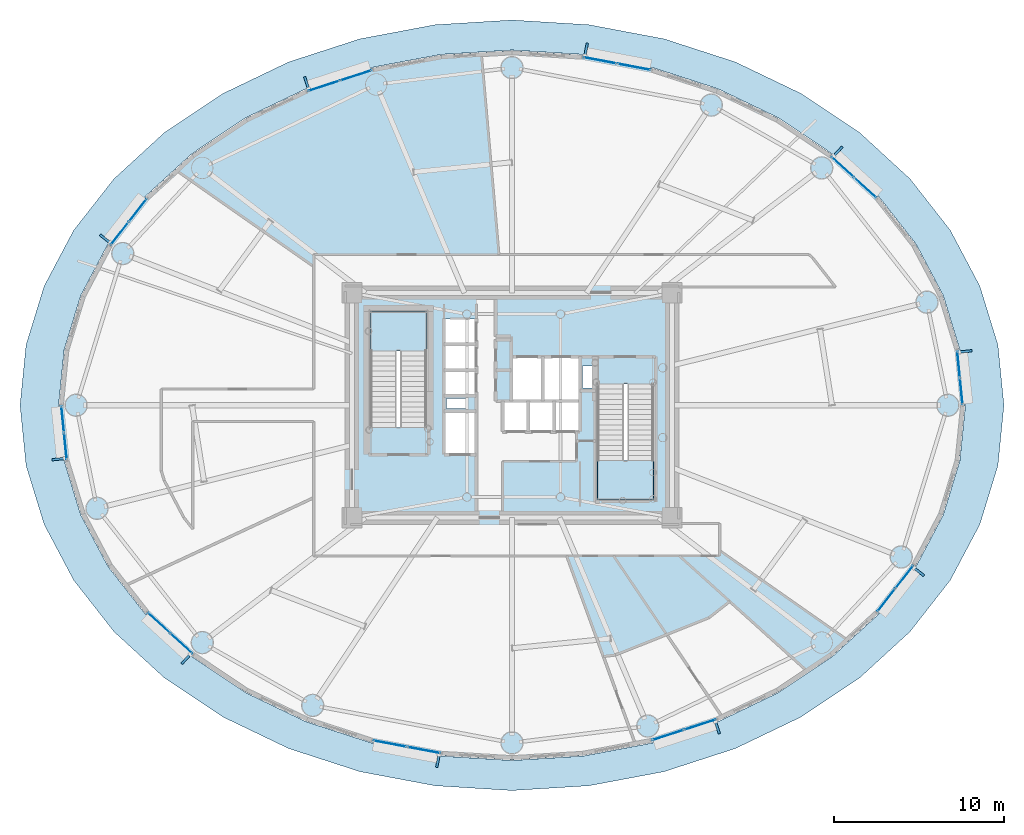
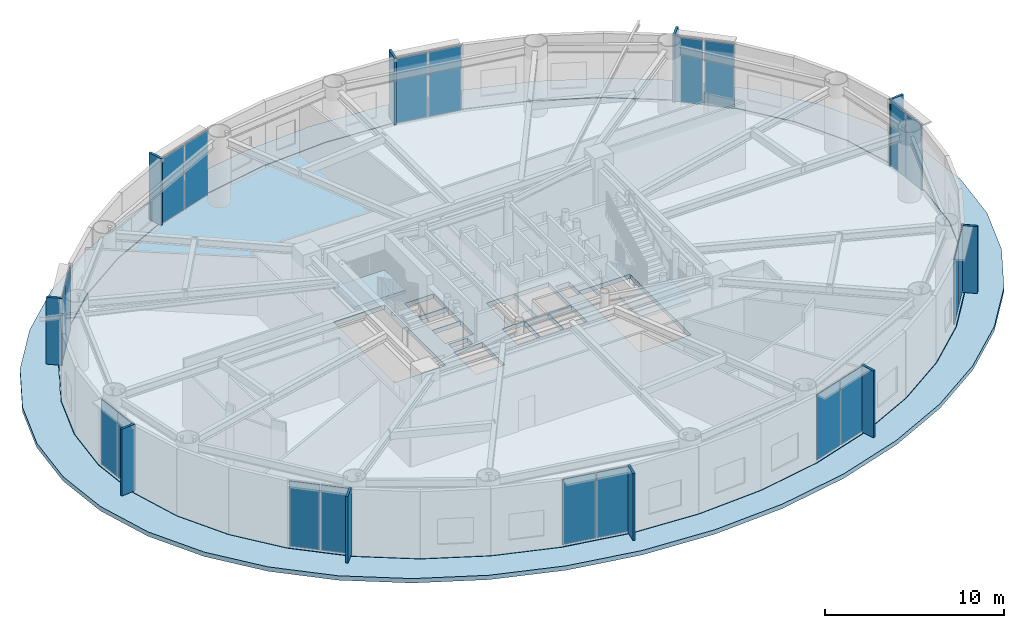
# One storey, part 24 of 38: 30 plates, 4 slabs, 12 elements without a shape of their own.
"""IFC4 building model written with IfcOpenShell, lengths in metres."""

import ifcopenshell
import ifcopenshell.guid

model = None  # the IFC model being written
_history = None  # IfcOwnerHistory: only IFC2X3 demands one
_inside = {}  # id of a spatial element -> (the spatial element, [elements in it])
_under = {}  # id of a project, library or spatial element -> (it, [spatial elements below it])
_declared = {}  # id of a project -> (the project, [libraries it declares])
_typed = {}  # id of a type object -> (the type object, [elements of that type])
_made_of = {}  # id of a material, layer set ... -> (it, [elements and type objects made of it])


def new_model(schema):
    """Start an empty IFC model of exactly this schema.

    Asked for "IFC4X3", IfcOpenShell would pick the latest addendum, in which some entities
    have other attributes; the version numbers below select the first issue.
    IFC2X3 requires an IfcOwnerHistory on every rooted entity: one is made here for all.
    """
    global model, _history
    if schema == "IFC4X3":
        model = ifcopenshell.file(schema_version=(4, 3, 0, 0))
    else:
        model = ifcopenshell.file(schema=schema)
    _inside.clear()
    _under.clear()
    _declared.clear()
    _typed.clear()
    _made_of.clear()
    _history = None
    if model.schema == "IFC2X3":
        org = make("IfcOrganization", Name="unknown")
        user = make(
            "IfcPersonAndOrganization",
            ThePerson=make("IfcPerson", FamilyName="unknown"),
            TheOrganization=org,
        )
        app = make(
            "IfcApplication",
            ApplicationDeveloper=org,
            Version="unknown",
            ApplicationFullName="unknown",
            ApplicationIdentifier="unknown",
        )
        _history = make(
            "IfcOwnerHistory",
            OwningUser=user,
            OwningApplication=app,
            ChangeAction="ADDED",
            CreationDate=0,
        )
    return model


def make(cls, **values):
    """One entity of the class cls with the attributes given. An attribute that is None is left unset."""
    return model.create_entity(
        cls, **{name: value for name, value in values.items() if value is not None}
    )


def rooted(cls, **values):
    """An entity with a GlobalId (a new one), such as an element, a storey or a relation."""
    return make(cls, GlobalId=ifcopenshell.guid.new(), OwnerHistory=_history, **values)


def si_unit(unit_type, name, prefix=None):
    """IfcSIUnit, for example si_unit("LENGTHUNIT", "METRE", prefix="MILLI")."""
    return make("IfcSIUnit", UnitType=unit_type, Prefix=prefix, Name=name)


def assignment(units):
    """IfcUnitAssignment: the units of a project."""
    return None if units is None else make("IfcUnitAssignment", Units=units)


def point(xyz):
    """IfcCartesianPoint."""
    return None if xyz is None else make("IfcCartesianPoint", Coordinates=xyz)


def direction(xyz):
    """IfcDirection."""
    return None if xyz is None else make("IfcDirection", DirectionRatios=xyz)


def frame(location, z_axis=None, x_axis=None):
    """IfcAxis2Placement3D, a coordinate frame: its origin and axes. An axis left out is left unset."""
    return make(
        "IfcAxis2Placement3D",
        Location=point(location),
        Axis=direction(z_axis),
        RefDirection=direction(x_axis),
    )


def frame_2d(location, x_axis=None):
    """IfcAxis2Placement2D, a coordinate frame in the plane: its origin and x axis."""
    return make(
        "IfcAxis2Placement2D", Location=point(location), RefDirection=direction(x_axis)
    )


def origin():
    """The frame at (0, 0, 0) with its axes left unset."""
    return frame((0.0, 0.0, 0.0))


def origin_2d():
    """The frame at (0, 0) in the plane with its x axis left unset."""
    return frame_2d((0.0, 0.0))


def place(relative_to, where):
    """IfcLocalPlacement: puts the frame where relative to a parent placement (None: the world)."""
    return make(
        "IfcLocalPlacement", PlacementRelTo=relative_to, RelativePlacement=where
    )


def context(
    kind, dimensions, precision=None, world=None, true_north=None, identifier=None
):
    """IfcGeometricRepresentationContext, for example the 3D "Model" context."""
    return make(
        "IfcGeometricRepresentationContext",
        ContextIdentifier=identifier,
        ContextType=kind,
        CoordinateSpaceDimension=dimensions,
        Precision=precision,
        WorldCoordinateSystem=world,
        TrueNorth=true_north,
    )


def subcontext(parent, identifier, kind, view, scale=None):
    """IfcGeometricRepresentationSubContext, for example "Body" below "Model"."""
    return make(
        "IfcGeometricRepresentationSubContext",
        ContextIdentifier=identifier,
        ContextType=kind,
        ParentContext=parent,
        TargetScale=scale,
        TargetView=view,
    )


def project(units=None, contexts=None):
    """IfcProject with its units and contexts."""
    return rooted(
        "IfcProject",
        Name="project",
        RepresentationContexts=contexts,
        UnitsInContext=assignment(units),
    )


def spatial(cls, under=None, at=None, **own):
    """A site, building, storey or space (cls), placed at a placement, below another one or the project."""
    s = rooted(cls, ObjectPlacement=at, **own)
    if under is not None:
        _under.setdefault(under.id(), (under, []))[1].append(s)
    return s


def polyline(points):
    """IfcPolyline through the points."""
    return make("IfcPolyline", Points=[point(p) for p in points])


def profile(cls, at=None, kind="AREA", **sizes):
    """A parametric profile (cls). Its sizes go by their IFC names, for example OverallWidth=200.0."""
    return make(cls, ProfileType=kind, Position=at, **sizes)


def rectangle(**sizes):
    """IfcRectangleProfileDef."""
    return profile("IfcRectangleProfileDef", **sizes)


def outline(outer, holes=None, kind="AREA"):
    """IfcArbitraryClosedProfileDef: a profile drawn as a closed curve; with holes, ...WithVoids."""
    if holes is None:
        return make("IfcArbitraryClosedProfileDef", ProfileType=kind, OuterCurve=outer)
    return make(
        "IfcArbitraryProfileDefWithVoids",
        ProfileType=kind,
        OuterCurve=outer,
        InnerCurves=holes,
    )


def extrude(swept, where, along, depth):
    """IfcExtrudedAreaSolid: the profile swept, set in the frame where, extruded along a direction by depth."""
    return make(
        "IfcExtrudedAreaSolid",
        SweptArea=swept,
        Position=where,
        ExtrudedDirection=direction(along),
        Depth=depth,
    )


def shape(context_of_items, identifier, shape_type, items):
    """IfcShapeRepresentation: the items that make up one representation, for example the "Body"."""
    return make(
        "IfcShapeRepresentation",
        ContextOfItems=context_of_items,
        RepresentationIdentifier=identifier,
        RepresentationType=shape_type,
        Items=items,
    )


def source(mapping_origin, context_of_items, identifier, shape_type, items):
    """IfcRepresentationMap: a shape defined once, which mapped items show again and again."""
    return make(
        "IfcRepresentationMap",
        MappingOrigin=mapping_origin,
        MappedRepresentation=shape(context_of_items, identifier, shape_type, items),
    )


def transform(
    local_origin,
    x_axis=None,
    y_axis=None,
    z_axis=None,
    scale=None,
    scale2=None,
    scale3=None,
    uniform=True,
):
    """IfcCartesianTransformationOperator3D, or its non-uniform kind. x_axis, y_axis, z_axis: its Axis1, 2, 3."""
    if uniform:
        return make(
            "IfcCartesianTransformationOperator3D",
            Axis1=direction(x_axis),
            Axis2=direction(y_axis),
            LocalOrigin=point(local_origin),
            Scale=scale,
            Axis3=direction(z_axis),
        )
    return make(
        "IfcCartesianTransformationOperator3DnonUniform",
        Axis1=direction(x_axis),
        Axis2=direction(y_axis),
        LocalOrigin=point(local_origin),
        Scale=scale,
        Axis3=direction(z_axis),
        Scale2=scale2,
        Scale3=scale3,
    )


def mapped(mapping_source, mapping_target):
    """IfcMappedItem: shows the shape of a source again, moved by a transform."""
    return make(
        "IfcMappedItem", MappingSource=mapping_source, MappingTarget=mapping_target
    )


def material(Name=None, Category=None):
    """IfcMaterial."""
    return make("IfcMaterial", Name=Name, Category=Category)


def layer(
    of_material, thickness, ventilated=None, Name=None, Category=None, Priority=None
):
    """IfcMaterialLayer: one layer of a wall or slab, of a material (None: an air gap)."""
    return make(
        "IfcMaterialLayer",
        Material=of_material,
        LayerThickness=thickness,
        IsVentilated=ventilated,
        Name=Name,
        Category=Category,
        Priority=Priority,
    )


def layer_set(layers, Name=None):
    """IfcMaterialLayerSet."""
    return make("IfcMaterialLayerSet", MaterialLayers=layers, LayerSetName=Name)


def made_of(thing, what):
    """Note that an element or type object is made of a material, layer set ...; save() writes the relation."""
    if what is not None:
        _made_of.setdefault(what.id(), (what, []))[1].append(thing)
    return thing


def type_object(cls, material=None, **own):
    """A type object (cls), such as IfcWallType, which elements share."""
    return made_of(rooted(cls, **own), material)


def element(
    cls,
    number,
    at=None,
    inside=None,
    cuts=None,
    type_object=None,
    material=None,
    context=None,
    identifier="Body",
    shape_type=None,
    held_by="IfcProductDefinitionShape",
    body=None,
    shapes=None,
    **own,
):
    """One element of the class cls, such as IfcWall. Its Tag is "e" and its number.

    at: its placement. inside: the storey or other place that contains it. cuts: it is an
    opening in that element (IfcRelVoidsElement). A single representation is given by context,
    identifier, shape_type and body (its items); several are given by shapes. held_by: the class
    of the entity that holds the representations. save() writes the other relations.
    """
    e = rooted(cls, Tag="e%d" % number, ObjectPlacement=at, **own)
    if body is not None:
        shapes = [shape(context, identifier, shape_type, body)]
    if shapes is not None:
        e.Representation = make(held_by, Representations=shapes)
    if inside is not None:
        _inside.setdefault(inside.id(), (inside, []))[1].append(e)
    if cuts is not None:
        rooted(
            "IfcRelVoidsElement", RelatingBuildingElement=cuts, RelatedOpeningElement=e
        )
    if type_object is not None:
        _typed.setdefault(type_object.id(), (type_object, []))[1].append(e)
    return made_of(e, material)


def aggregate(whole, parts):
    """IfcRelAggregates: a whole, such as a stair, and the parts it consists of."""
    return rooted("IfcRelAggregates", RelatingObject=whole, RelatedObjects=parts)


def save(model, path):
    """Write the relations noted so far, then the file.

    IfcRelAggregates (storeys below a building ...), IfcRelContainedInSpatialStructure (elements
    in a storey), IfcRelDefinesByType, IfcRelAssociatesMaterial and IfcRelDeclares: one each for
    every whole, place, type object, material and project.
    """
    for whole, parts in _under.values():
        aggregate(whole, parts)
    for where, things in _inside.values():
        rooted(
            "IfcRelContainedInSpatialStructure",
            RelatedElements=things,
            RelatingStructure=where,
        )
    for kind, things in _typed.values():
        rooted("IfcRelDefinesByType", RelatedObjects=things, RelatingType=kind)
    for what, things in _made_of.values():
        rooted("IfcRelAssociatesMaterial", RelatedObjects=things, RelatingMaterial=what)
    for by, libraries in _declared.values():
        rooted("IfcRelDeclares", RelatingContext=by, RelatedDefinitions=libraries)
    model.write(path)


model = new_model("IFC4")

# Units and contexts
model_context = context("Model", 3, precision=1e-05, world=origin(), true_north=direction((0.0, 1.0)))
body_context = subcontext(model_context, "Body", "Model", "MODEL_VIEW")
ifc_project = project(units=[si_unit("LENGTHUNIT", "METRE"), si_unit("AREAUNIT", "SQUARE_METRE"), si_unit("VOLUMEUNIT", "CUBIC_METRE"), si_unit("PLANEANGLEUNIT", "RADIAN"), si_unit("MASSUNIT", "GRAM", prefix="KILO")], contexts=[model_context])

# Site, building, storey
site_placement = place(None, origin())
site = spatial("IfcSite", under=ifc_project, at=site_placement, CompositionType="ELEMENT")
building_placement = place(site_placement, origin())
building = spatial("IfcBuilding", under=site, at=building_placement, Name="Linh Dai School and Residence Tower", CompositionType="ELEMENT")
storey_placement = place(building_placement, frame((0.0, 0.0, 151.35009765625)))
storey = spatial("IfcBuildingStorey", under=building, at=storey_placement, Name="L36", CompositionType="ELEMENT", Elevation=151.35009765625)

# Slabs
ifc_material_1 = material(Name="Concrete B45 (C35/45)", Category="concrete")
ifc_layer_1 = layer(ifc_material_1, 0.300048828125)
ifc_layer_set_1 = layer_set([ifc_layer_1], Name="Concrete B45 (C35/45)")
slab_type_1 = type_object("IfcSlabType", Name="SLB-FLR300", PredefinedType="FLOOR", material=ifc_layer_set_1)
slab_1_placement = place(storey_placement, frame((0.0, 0.0, -0.300048828125)))
element("IfcSlab", 1, at=slab_1_placement, inside=storey, type_object=slab_type_1, Name="L36 Composite Structural Floor Slab", PredefinedType="FLOOR", context=body_context, shape_type="SweptSolid", body=[
    extrude(outline(polyline([(62.60009765625, 27.0), (62.2724609375, 30.258544921875), (61.298095703125, 33.436767578125), (59.70068359375, 36.45654296875), (57.519775390625, 39.24365234375), (54.80908203125, 41.72900390625), (51.635009765625, 43.851806640625), (48.076171875, 45.5595703125), (44.219970703125, 46.810546875), (40.1611328125, 47.573486328125), (36.0, 47.830078125), (31.8388671875, 47.573486328125), (27.780029296875, 46.810546875), (23.923828125, 45.5595703125), (20.364990234375, 43.851806640625), (17.19091796875, 41.72900390625), (14.480224609375, 39.24365234375), (12.29931640625, 36.45654296875), (10.701904296875, 33.436767578125), (9.7275390625, 30.258544921875), (9.39990234375, 27.0), (9.7275390625, 23.741455078125), (10.701904296875, 20.563232421875), (12.29931640625, 17.54345703125), (14.480224609375, 14.75634765625), (17.19091796875, 12.27099609375), (20.364990234375, 10.148193359375), (23.923828125, 8.4404296875), (27.780029296875, 7.189453125), (31.8388671875, 6.426513671875), (36.0, 6.169921875), (40.1611328125, 6.426513671875), (44.219970703125, 7.189453125), (48.076171875, 8.4404296875), (51.635009765625, 10.148193359375), (54.80908203125, 12.27099609375), (57.519775390625, 14.75634765625), (59.70068359375, 17.54345703125), (61.298095703125, 20.563232421875), (62.2724609375, 23.741455078125), (62.60009765625, 27.0)]), holes=[polyline([(30.97998046875, 25.699951171875), (30.97998046875, 32.5), (27.679931640625, 32.5), (27.679931640625, 25.699951171875), (30.97998046875, 25.699951171875)]), polyline([(41.02001953125, 28.25), (41.02001953125, 21.449951171875), (44.320068359375, 21.449951171875), (44.320068359375, 28.25), (41.02001953125, 28.25)]), polyline([(35.97998046875, 27.280029296875), (37.77001953125, 27.280029296875), (37.77001953125, 29.820068359375), (35.97998046875, 29.820068359375), (35.97998046875, 27.280029296875)]), polyline([(32.030029296875, 24.1298828125), (33.8701171875, 24.1298828125), (33.8701171875, 26.6201171875), (32.030029296875, 26.6201171875), (32.030029296875, 24.1298828125)]), polyline([(37.830078125, 27.280029296875), (39.969970703125, 27.280029296875), (39.969970703125, 29.820068359375), (37.830078125, 29.820068359375), (37.830078125, 27.280029296875)]), polyline([(32.030029296875, 27.580078125), (33.8701171875, 27.580078125), (33.8701171875, 29.030029296875), (32.030029296875, 29.030029296875), (32.030029296875, 27.580078125)]), polyline([(32.030029296875, 29.090087890625), (33.8701171875, 29.090087890625), (33.8701171875, 30.550048828125), (32.030029296875, 30.550048828125), (32.030029296875, 29.090087890625)]), polyline([(32.030029296875, 30.610107421875), (33.8701171875, 30.610107421875), (33.8701171875, 32.070068359375), (32.030029296875, 32.070068359375), (32.030029296875, 30.610107421875)]), polyline([(35.47998046875, 25.47998046875), (36.929931640625, 25.47998046875), (36.929931640625, 27.219970703125), (35.47998046875, 27.219970703125), (35.47998046875, 25.47998046875)]), polyline([(36.989990234375, 25.47998046875), (38.449951171875, 25.47998046875), (38.449951171875, 27.219970703125), (36.989990234375, 27.219970703125), (36.989990234375, 25.47998046875)]), polyline([(38.510009765625, 25.47998046875), (39.969970703125, 25.47998046875), (39.969970703125, 27.219970703125), (38.510009765625, 27.219970703125), (38.510009765625, 25.47998046875)]), polyline([(40.14990234375, 28.0), (40.14990234375, 29.300048828125), (41.0, 29.300048828125), (41.0, 28.280029296875), (40.989990234375, 28.280029296875), (40.989990234375, 28.0), (40.14990234375, 28.0)]), polyline([(32.14990234375, 26.800048828125), (33.35009765625, 26.800048828125), (33.35009765625, 27.39990234375), (32.14990234375, 27.39990234375), (32.14990234375, 26.800048828125)])]), origin(), (0.0, 0.0, 1.0), 0.300048828125),
])
ifc_layer_2 = layer(ifc_material_1, 0.300048828125)
ifc_layer_set_2 = layer_set([ifc_layer_2], Name="Concrete B45 (C35/45)")
slab_type_2 = type_object("IfcSlabType", Name="SLB-ROOF300", PredefinedType="ROOF", material=ifc_layer_set_2)
slab_2_placement = place(storey_placement, frame((0.0, 0.0, -0.300048828125)))
element("IfcSlab", 2, at=slab_2_placement, inside=storey, type_object=slab_type_2, Name="L36 Setback Step Insulated Roof Slab", PredefinedType="ROOF", context=body_context, shape_type="SweptSolid", body=[
    extrude(outline(polyline([(64.89990234375, 27.0), (64.544189453125, 30.5400390625), (63.485595703125, 33.9931640625), (61.75, 37.27392578125), (59.380615234375, 40.301513671875), (56.435302734375, 43.001708984375), (52.987060546875, 45.30810546875), (49.120361328125, 47.16357421875), (44.9306640625, 48.5224609375), (40.52099609375, 49.351318359375), (36.0, 49.6298828125), (31.47900390625, 49.351318359375), (27.0693359375, 48.5224609375), (22.879638671875, 47.16357421875), (19.012939453125, 45.30810546875), (15.564697265625, 43.001708984375), (12.619384765625, 40.301513671875), (10.25, 37.27392578125), (8.514404296875, 33.9931640625), (7.455810546875, 30.5400390625), (7.10009765625, 27.0), (7.455810546875, 23.4599609375), (8.514404296875, 20.0068359375), (10.25, 16.72607421875), (12.619384765625, 13.698486328125), (15.564697265625, 10.998291015625), (19.012939453125, 8.69189453125), (22.879638671875, 6.83642578125), (27.0693359375, 5.4775390625), (31.47900390625, 4.648681640625), (36.0, 4.3701171875), (40.52099609375, 4.648681640625), (44.9306640625, 5.4775390625), (49.120361328125, 6.83642578125), (52.987060546875, 8.69189453125), (56.435302734375, 10.998291015625), (59.380615234375, 13.698486328125), (61.75, 16.72607421875), (63.485595703125, 20.0068359375), (64.544189453125, 23.4599609375), (64.89990234375, 27.0)]), holes=[polyline([(62.6298828125, 27.0), (62.30224609375, 30.26318359375), (61.32666015625, 33.446044921875), (59.7275390625, 36.47021484375), (57.544189453125, 39.26123046875), (54.830322265625, 41.750244140625), (51.65283203125, 43.8759765625), (48.08984375, 45.58642578125), (44.22900390625, 46.839111328125), (40.165771484375, 47.603271484375), (36.0, 47.860107421875), (31.834228515625, 47.603271484375), (27.77099609375, 46.839111328125), (23.91015625, 45.58642578125), (20.34716796875, 43.8759765625), (17.169677734375, 41.750244140625), (14.455810546875, 39.26123046875), (12.2724609375, 36.47021484375), (10.67333984375, 33.446044921875), (9.69775390625, 30.26318359375), (9.3701171875, 27.0), (9.69775390625, 23.73681640625), (10.67333984375, 20.553955078125), (12.2724609375, 17.52978515625), (14.455810546875, 14.73876953125), (17.169677734375, 12.249755859375), (20.34716796875, 10.1240234375), (23.91015625, 8.41357421875), (27.77099609375, 7.160888671875), (31.834228515625, 6.396728515625), (36.0, 6.139892578125), (40.165771484375, 6.396728515625), (44.22900390625, 7.160888671875), (48.08984375, 8.41357421875), (51.65283203125, 10.1240234375), (54.830322265625, 12.249755859375), (57.544189453125, 14.73876953125), (59.7275390625, 17.52978515625), (61.32666015625, 20.553955078125), (62.30224609375, 23.73681640625), (62.6298828125, 27.0)])]), origin(), (0.0, 0.0, 1.0), 0.300048828125),
])

# Stair, slab
stair_type = type_object("IfcStairType", Name="ST-DOG-1550-R1500", PredefinedType="HALF_TURN_STAIR", material=ifc_material_1)
stair_1_placement = place(storey_placement, origin())
stair_1 = element("IfcStair", 3, at=stair_1_placement, inside=storey, type_object=stair_type, Name="L36 Core Smokeproof Exit Stair ST1", PredefinedType="HALF_TURN_STAIR")
ifc_layer_3 = layer(ifc_material_1, 0.199951171875)
ifc_layer_set_3 = layer_set([ifc_layer_3], Name="Concrete B45 (C35/45)")
slab_type_3 = type_object("IfcSlabType", Name="SLB-ST-LANDING-200", PredefinedType="LANDING", material=ifc_layer_set_3)
slab_3_placement = place(storey_placement, frame((0.0, 0.0, 2.199951171875)))
slab_3 = element("IfcSlab", 4, at=slab_3_placement, type_object=slab_type_3, Name="ST1 landing 1", PredefinedType="LANDING", context=body_context, shape_type="SweptSolid", body=[
    extrude(outline(polyline([(30.97998046875, 30.199951171875), (30.97998046875, 32.5), (27.679931640625, 32.5), (27.679931640625, 30.199951171875), (30.97998046875, 30.199951171875)])), origin(), (0.0, 0.0, 1.0), 0.199951171875),
])
aggregate(stair_1, [slab_3])

stair_2_placement = place(storey_placement, origin())
stair_2 = element("IfcStair", 5, at=stair_2_placement, inside=storey, type_object=stair_type, Name="L36 Core Smokeproof Exit Stair ST2", PredefinedType="HALF_TURN_STAIR")
slab_4_placement = place(storey_placement, frame((0.0, 0.0, 2.199951171875)))
slab_4 = element("IfcSlab", 6, at=slab_4_placement, type_object=slab_type_3, Name="ST2 landing 1", PredefinedType="LANDING", context=body_context, shape_type="SweptSolid", body=[
    extrude(outline(polyline([(41.02001953125, 23.75), (41.02001953125, 21.449951171875), (44.320068359375, 21.449951171875), (44.320068359375, 23.75), (41.02001953125, 23.75)])), origin(), (0.0, 0.0, 1.0), 0.199951171875),
])
aggregate(stair_2, [slab_4])

# Plates
ifc_material_2 = material(Name="Precast Concrete B45 (C35/45)", Category="concrete")
ifc_layer_4 = layer(ifc_material_2, 0.139892578125)
ifc_layer_set_4 = layer_set([ifc_layer_4], Name="Precast Concrete B45 (C35/45)")
plate_type_1 = type_object("IfcPlateType", Name="FIN-TC-900x140", PredefinedType="USERDEFINED", material=ifc_layer_set_4)
shared_shape_1 = source(origin(), body_context, "Body", "SweptSolid", [
    extrude(rectangle(XDim=0.89990234375, YDim=0.139892578125, at=origin_2d()), origin(), (0.0, 0.0, 1.0), 4.550048828125),
])
for number, where, z_axis, x_axis, name in (
    (7, (62.56982421875, 30.1552734375, 0.0), (0.0, 0.0, 1.0), (0.994987256586, 0.100001796141, 0.0), "L36 Precast Terracotta Radial Fin 01"),
    (8, (55.097412109375, 41.851806640625, 0.0), (0.0, 0.0, 1.0), (0.67580001435, 0.737085029426, 0.0), "L36 Precast Terracotta Radial Fin 05"),
    (9, (40.33935546875, 47.830322265625, 0.0), (0.0, 0.0, 1.0), (0.184762540184, 0.982783192645, 0.0), "L36 Precast Terracotta Radial Fin 09"),
    (10, (23.957763671875, 45.87060546875, 0.0), (0.0, 0.0, 1.0), (-0.308535707031, 0.951212761419, 0.0), "L36 Precast Terracotta Radial Fin 13"),
    (11, (12.155029296875, 36.735595703125, 0.0), (0.0, 0.0, 1.0), (-0.787522158319, 0.616286337798, 0.0), "L36 Precast Terracotta Radial Fin 17"),
    (12, (9.43017578125, 23.8447265625, 0.0), (0.0, 0.0, 1.0), (-0.994987256586, -0.100001796141, 0.0), "L36 Precast Terracotta Radial Fin 21"),
    (13, (16.902587890625, 12.148193359375, 0.0), (0.0, 0.0, 1.0), (-0.67580001435, -0.737085029426, 0.0), "L36 Precast Terracotta Radial Fin 25"),
    (14, (31.66064453125, 6.169677734375, 0.0), (0.0, 0.0, 1.0), (-0.184762540184, -0.982783192645, 0.0), "L36 Precast Terracotta Radial Fin 29"),
    (15, (48.042236328125, 8.12939453125, 0.0), (0.0, 0.0, 1.0), (0.308535707031, -0.951212761419, 0.0), "L36 Precast Terracotta Radial Fin 33"),
    (16, (59.844970703125, 17.264404296875, 0.0), (0.0, 0.0, 1.0), (0.787522158319, -0.616286337798, 0.0), "L36 Precast Terracotta Radial Fin 37"),
):
    element("IfcPlate", number, at=place(storey_placement, frame(where, z_axis=z_axis, x_axis=x_axis)), inside=storey, type_object=plate_type_1, Name=name, ObjectType="RADIAL FIN", PredefinedType="USERDEFINED", context=body_context, shape_type="MappedRepresentation", body=[
        mapped(shared_shape_1, transform((0.0, 0.0, 0.0), x_axis=(1.0, 0.0, 0.0), y_axis=(0.0, 1.0, 0.0), z_axis=(0.0, 0.0, 1.0), scale=1.0)),
    ])

# Curtain wall, plates
ifc_material_3 = material(Name="Aluminium Anodised Curtain Wall", Category="aluminium")
ifc_layer_5 = layer(ifc_material_3, 0.18994140625)
ifc_layer_set_5 = layer_set([ifc_layer_5], Name="Aluminium Anodised Curtain Wall")
curtain_wall_type = type_object("IfcCurtainWallType", Name="CW-SYS-5", PredefinedType="USERDEFINED", material=ifc_layer_set_5)
curtain_wall_1_placement = place(storey_placement, origin())
curtain_wall_1 = element("IfcCurtainWall", 17, at=curtain_wall_1_placement, inside=storey, type_object=curtain_wall_type, Name="L36 CW5 Curtain Wall 01", ObjectType="UNITISED CURTAIN WALL", PredefinedType="USERDEFINED")
ifc_material_4 = material(Name="Double Low-E Insulated Glazing", Category="glass")
ifc_layer_6 = layer(ifc_material_4, 0.033935546875)
ifc_layer_set_6 = layer_set([ifc_layer_6], Name="Double Low-E Insulated Glazing")
plate_type_2 = type_object("IfcPlateType", Name="CW-SYS-5-PAN", PredefinedType="CURTAIN_PANEL", material=ifc_layer_set_6)
shared_shape_2 = source(origin(), body_context, "Body", "SweptSolid", [
    extrude(rectangle(XDim=1.52001953125, YDim=0.033935546875, at=origin_2d()), origin(), (0.0, 0.0, 1.0), 4.409912109375),
])
plate_1_placement = place(storey_placement, frame((62.23291015625, 29.407958984375, 0.06982421875), z_axis=(0.0, 0.0, 1.0), x_axis=(0.100001796141, -0.994987256586, 0.0)))
plate_1 = element("IfcPlate", 18, at=plate_1_placement, type_object=plate_type_2, Name="CW5 panel 1.1", PredefinedType="CURTAIN_PANEL", context=body_context, shape_type="MappedRepresentation", body=[
    mapped(shared_shape_2, transform((0.0, 0.0, 0.0), x_axis=(1.0, 0.0, 0.0), y_axis=(0.0, 1.0, 0.0), z_axis=(0.0, 0.0, 1.0), scale=1.0)),
])
plate_2_placement = place(storey_placement, frame((62.39208984375, 27.825927734375, 0.06982421875), z_axis=(0.0, 0.0, 1.0), x_axis=(0.100001796141, -0.994987256586, 0.0)))
plate_2 = element("IfcPlate", 19, at=plate_2_placement, type_object=plate_type_2, Name="CW5 panel 2.1", PredefinedType="CURTAIN_PANEL", context=body_context, shape_type="MappedRepresentation", body=[
    mapped(shared_shape_2, transform((0.0, 0.0, 0.0), x_axis=(1.0, 0.0, 0.0), y_axis=(0.0, 1.0, 0.0), z_axis=(0.0, 0.0, 1.0), scale=1.0)),
])
aggregate(curtain_wall_1, [plate_1, plate_2])

curtain_wall_2_placement = place(storey_placement, origin())
curtain_wall_2 = element("IfcCurtainWall", 20, at=curtain_wall_2_placement, inside=storey, type_object=curtain_wall_type, Name="L36 CW5 Curtain Wall 21", ObjectType="UNITISED CURTAIN WALL", PredefinedType="USERDEFINED")
plate_3_placement = place(storey_placement, frame((9.76708984375, 24.592041015625, 0.06982421875), z_axis=(0.0, 0.0, 1.0), x_axis=(-0.100001796141, 0.994987256586, 0.0)))
plate_3 = element("IfcPlate", 21, at=plate_3_placement, type_object=plate_type_2, Name="CW5 panel 1.1", PredefinedType="CURTAIN_PANEL", context=body_context, shape_type="MappedRepresentation", body=[
    mapped(shared_shape_2, transform((0.0, 0.0, 0.0), x_axis=(1.0, 0.0, 0.0), y_axis=(0.0, 1.0, 0.0), z_axis=(0.0, 0.0, 1.0), scale=1.0)),
])
plate_4_placement = place(storey_placement, frame((9.60791015625, 26.174072265625, 0.06982421875), z_axis=(0.0, 0.0, 1.0), x_axis=(-0.100001796141, 0.994987256586, 0.0)))
plate_4 = element("IfcPlate", 22, at=plate_4_placement, type_object=plate_type_2, Name="CW5 panel 2.1", PredefinedType="CURTAIN_PANEL", context=body_context, shape_type="MappedRepresentation", body=[
    mapped(shared_shape_2, transform((0.0, 0.0, 0.0), x_axis=(1.0, 0.0, 0.0), y_axis=(0.0, 1.0, 0.0), z_axis=(0.0, 0.0, 1.0), scale=1.0)),
])
aggregate(curtain_wall_2, [plate_3, plate_4])

curtain_wall_3_placement = place(storey_placement, origin())
curtain_wall_3 = element("IfcCurtainWall", 23, at=curtain_wall_3_placement, inside=storey, type_object=curtain_wall_type, Name="L36 CW5 Curtain Wall 05", ObjectType="UNITISED CURTAIN WALL", PredefinedType="USERDEFINED")
shared_shape_3 = source(origin(), body_context, "Body", "SweptSolid", [
    extrude(rectangle(XDim=1.723876953125, YDim=0.033935546875, at=origin_2d()), origin(), (0.0, 0.0, 1.0), 4.409912109375),
])
plate_5_placement = place(storey_placement, frame((55.4189453125, 41.000732421875, 0.06982421875), z_axis=(0.0, 0.0, 1.0), x_axis=(0.737085029426, -0.67580001435, 0.0)))
plate_5 = element("IfcPlate", 24, at=plate_5_placement, type_object=plate_type_2, Name="CW5 panel 1.1", PredefinedType="CURTAIN_PANEL", context=body_context, shape_type="MappedRepresentation", body=[
    mapped(shared_shape_3, transform((0.0, 0.0, 0.0), x_axis=(1.0, 0.0, 0.0), y_axis=(0.0, 1.0, 0.0), z_axis=(0.0, 0.0, 1.0), scale=1.0)),
])
plate_6_placement = place(storey_placement, frame((56.7412109375, 39.788330078125, 0.06982421875), z_axis=(0.0, 0.0, 1.0), x_axis=(0.737085029426, -0.67580001435, 0.0)))
plate_6 = element("IfcPlate", 25, at=plate_6_placement, type_object=plate_type_2, Name="CW5 panel 2.1", PredefinedType="CURTAIN_PANEL", context=body_context, shape_type="MappedRepresentation", body=[
    mapped(shared_shape_3, transform((0.0, 0.0, 0.0), x_axis=(1.0, 0.0, 0.0), y_axis=(0.0, 1.0, 0.0), z_axis=(0.0, 0.0, 1.0), scale=1.0)),
])
aggregate(curtain_wall_3, [plate_5, plate_6])

curtain_wall_4_placement = place(storey_placement, origin())
curtain_wall_4 = element("IfcCurtainWall", 26, at=curtain_wall_4_placement, inside=storey, type_object=curtain_wall_type, Name="L36 CW5 Curtain Wall 25", ObjectType="UNITISED CURTAIN WALL", PredefinedType="USERDEFINED")
plate_7_placement = place(storey_placement, frame((16.5810546875, 12.999267578125, 0.06982421875), z_axis=(0.0, 0.0, 1.0), x_axis=(-0.737085029426, 0.67580001435, 0.0)))
plate_7 = element("IfcPlate", 27, at=plate_7_placement, type_object=plate_type_2, Name="CW5 panel 1.1", PredefinedType="CURTAIN_PANEL", context=body_context, shape_type="MappedRepresentation", body=[
    mapped(shared_shape_3, transform((0.0, 0.0, 0.0), x_axis=(1.0, 0.0, 0.0), y_axis=(0.0, 1.0, 0.0), z_axis=(0.0, 0.0, 1.0), scale=1.0)),
])
plate_8_placement = place(storey_placement, frame((15.2587890625, 14.211669921875, 0.06982421875), z_axis=(0.0, 0.0, 1.0), x_axis=(-0.737085029426, 0.67580001435, 0.0)))
plate_8 = element("IfcPlate", 28, at=plate_8_placement, type_object=plate_type_2, Name="CW5 panel 2.1", PredefinedType="CURTAIN_PANEL", context=body_context, shape_type="MappedRepresentation", body=[
    mapped(shared_shape_3, transform((0.0, 0.0, 0.0), x_axis=(1.0, 0.0, 0.0), y_axis=(0.0, 1.0, 0.0), z_axis=(0.0, 0.0, 1.0), scale=1.0)),
])
aggregate(curtain_wall_4, [plate_7, plate_8])

curtain_wall_5_placement = place(storey_placement, origin())
curtain_wall_5 = element("IfcCurtainWall", 29, at=curtain_wall_5_placement, inside=storey, type_object=curtain_wall_type, Name="L36 CW5 Curtain Wall 09", ObjectType="UNITISED CURTAIN WALL", PredefinedType="USERDEFINED")
shared_shape_4 = source(origin(), body_context, "Body", "SweptSolid", [
    extrude(rectangle(XDim=1.9521484375, YDim=0.033935546875, at=origin_2d()), origin(), (0.0, 0.0, 1.0), 4.409912109375),
])
plate_9_placement = place(storey_placement, frame((41.173828125, 47.25634765625, 0.06982421875), z_axis=(0.0, 0.0, 1.0), x_axis=(0.982783192645, -0.184762540184, 0.0)))
plate_9 = element("IfcPlate", 30, at=plate_9_placement, type_object=plate_type_2, Name="CW5 panel 1.1", PredefinedType="CURTAIN_PANEL", context=body_context, shape_type="MappedRepresentation", body=[
    mapped(shared_shape_4, transform((0.0, 0.0, 0.0), x_axis=(1.0, 0.0, 0.0), y_axis=(0.0, 1.0, 0.0), z_axis=(0.0, 0.0, 1.0), scale=1.0)),
])
plate_10_placement = place(storey_placement, frame((43.1611328125, 46.882568359375, 0.06982421875), z_axis=(0.0, 0.0, 1.0), x_axis=(0.982783192645, -0.184762540184, 0.0)))
plate_10 = element("IfcPlate", 31, at=plate_10_placement, type_object=plate_type_2, Name="CW5 panel 2.1", PredefinedType="CURTAIN_PANEL", context=body_context, shape_type="MappedRepresentation", body=[
    mapped(shared_shape_4, transform((0.0, 0.0, 0.0), x_axis=(1.0, 0.0, 0.0), y_axis=(0.0, 1.0, 0.0), z_axis=(0.0, 0.0, 1.0), scale=1.0)),
])
aggregate(curtain_wall_5, [plate_9, plate_10])

curtain_wall_6_placement = place(storey_placement, origin())
curtain_wall_6 = element("IfcCurtainWall", 32, at=curtain_wall_6_placement, inside=storey, type_object=curtain_wall_type, Name="L36 CW5 Curtain Wall 29", ObjectType="UNITISED CURTAIN WALL", PredefinedType="USERDEFINED")
plate_11_placement = place(storey_placement, frame((30.826171875, 6.74365234375, 0.06982421875), z_axis=(0.0, 0.0, 1.0), x_axis=(-0.982783192645, 0.184762540184, 0.0)))
plate_11 = element("IfcPlate", 33, at=plate_11_placement, type_object=plate_type_2, Name="CW5 panel 1.1", PredefinedType="CURTAIN_PANEL", context=body_context, shape_type="MappedRepresentation", body=[
    mapped(shared_shape_4, transform((0.0, 0.0, 0.0), x_axis=(1.0, 0.0, 0.0), y_axis=(0.0, 1.0, 0.0), z_axis=(0.0, 0.0, 1.0), scale=1.0)),
])
plate_12_placement = place(storey_placement, frame((28.8388671875, 7.117431640625, 0.06982421875), z_axis=(0.0, 0.0, 1.0), x_axis=(-0.982783192645, 0.184762540184, 0.0)))
plate_12 = element("IfcPlate", 34, at=plate_12_placement, type_object=plate_type_2, Name="CW5 panel 2.1", PredefinedType="CURTAIN_PANEL", context=body_context, shape_type="MappedRepresentation", body=[
    mapped(shared_shape_4, transform((0.0, 0.0, 0.0), x_axis=(1.0, 0.0, 0.0), y_axis=(0.0, 1.0, 0.0), z_axis=(0.0, 0.0, 1.0), scale=1.0)),
])
aggregate(curtain_wall_6, [plate_11, plate_12])

curtain_wall_7_placement = place(storey_placement, origin())
curtain_wall_7 = element("IfcCurtainWall", 35, at=curtain_wall_7_placement, inside=storey, type_object=curtain_wall_type, Name="L36 CW5 Curtain Wall 13", ObjectType="UNITISED CURTAIN WALL", PredefinedType="USERDEFINED")
shared_shape_5 = source(origin(), body_context, "Body", "SweptSolid", [
    extrude(rectangle(XDim=1.913818359375, YDim=0.033935546875, at=origin_2d()), origin(), (0.0, 0.0, 1.0), 4.409912109375),
])
plate_13_placement = place(storey_placement, frame((24.947021484375, 45.760498046875, 0.06982421875), z_axis=(0.0, 0.0, 1.0), x_axis=(0.951212761419, 0.308535707031, 0.0)))
plate_13 = element("IfcPlate", 36, at=plate_13_placement, type_object=plate_type_2, Name="CW5 panel 1.1", PredefinedType="CURTAIN_PANEL", context=body_context, shape_type="MappedRepresentation", body=[
    mapped(shared_shape_5, transform((0.0, 0.0, 0.0), x_axis=(1.0, 0.0, 0.0), y_axis=(0.0, 1.0, 0.0), z_axis=(0.0, 0.0, 1.0), scale=1.0)),
])
plate_14_placement = place(storey_placement, frame((26.834228515625, 46.37255859375, 0.06982421875), z_axis=(0.0, 0.0, 1.0), x_axis=(0.951212761419, 0.308535707031, 0.0)))
plate_14 = element("IfcPlate", 37, at=plate_14_placement, type_object=plate_type_2, Name="CW5 panel 2.1", PredefinedType="CURTAIN_PANEL", context=body_context, shape_type="MappedRepresentation", body=[
    mapped(shared_shape_5, transform((0.0, 0.0, 0.0), x_axis=(1.0, 0.0, 0.0), y_axis=(0.0, 1.0, 0.0), z_axis=(0.0, 0.0, 1.0), scale=1.0)),
])
aggregate(curtain_wall_7, [plate_13, plate_14])

curtain_wall_8_placement = place(storey_placement, origin())
curtain_wall_8 = element("IfcCurtainWall", 38, at=curtain_wall_8_placement, inside=storey, type_object=curtain_wall_type, Name="L36 CW5 Curtain Wall 33", ObjectType="UNITISED CURTAIN WALL", PredefinedType="USERDEFINED")
plate_15_placement = place(storey_placement, frame((47.052978515625, 8.239501953125, 0.06982421875), z_axis=(0.0, 0.0, 1.0), x_axis=(-0.951212761419, -0.308535707031, 0.0)))
plate_15 = element("IfcPlate", 39, at=plate_15_placement, type_object=plate_type_2, Name="CW5 panel 1.1", PredefinedType="CURTAIN_PANEL", context=body_context, shape_type="MappedRepresentation", body=[
    mapped(shared_shape_5, transform((0.0, 0.0, 0.0), x_axis=(1.0, 0.0, 0.0), y_axis=(0.0, 1.0, 0.0), z_axis=(0.0, 0.0, 1.0), scale=1.0)),
])
plate_16_placement = place(storey_placement, frame((45.165771484375, 7.62744140625, 0.06982421875), z_axis=(0.0, 0.0, 1.0), x_axis=(-0.951212761419, -0.308535707031, 0.0)))
plate_16 = element("IfcPlate", 40, at=plate_16_placement, type_object=plate_type_2, Name="CW5 panel 2.1", PredefinedType="CURTAIN_PANEL", context=body_context, shape_type="MappedRepresentation", body=[
    mapped(shared_shape_5, transform((0.0, 0.0, 0.0), x_axis=(1.0, 0.0, 0.0), y_axis=(0.0, 1.0, 0.0), z_axis=(0.0, 0.0, 1.0), scale=1.0)),
])
aggregate(curtain_wall_8, [plate_15, plate_16])

curtain_wall_9_placement = place(storey_placement, origin())
curtain_wall_9 = element("IfcCurtainWall", 41, at=curtain_wall_9_placement, inside=storey, type_object=curtain_wall_type, Name="L36 CW5 Curtain Wall 17", ObjectType="UNITISED CURTAIN WALL", PredefinedType="USERDEFINED")
shared_shape_6 = source(origin(), body_context, "Body", "SweptSolid", [
    extrude(rectangle(XDim=1.65380859375, YDim=0.033935546875, at=origin_2d()), origin(), (0.0, 0.0, 1.0), 4.409912109375),
])
plate_17_placement = place(storey_placement, frame((12.956787109375, 37.0947265625, 0.06982421875), z_axis=(0.0, 0.0, 1.0), x_axis=(0.616286337798, 0.787522158319, 0.0)))
plate_17 = element("IfcPlate", 42, at=plate_17_placement, type_object=plate_type_2, Name="CW5 panel 1.1", PredefinedType="CURTAIN_PANEL", context=body_context, shape_type="MappedRepresentation", body=[
    mapped(shared_shape_6, transform((0.0, 0.0, 0.0), x_axis=(1.0, 0.0, 0.0), y_axis=(0.0, 1.0, 0.0), z_axis=(0.0, 0.0, 1.0), scale=1.0)),
])
plate_18_placement = place(storey_placement, frame((14.01904296875, 38.4521484375, 0.06982421875), z_axis=(0.0, 0.0, 1.0), x_axis=(0.616286337798, 0.787522158319, 0.0)))
plate_18 = element("IfcPlate", 43, at=plate_18_placement, type_object=plate_type_2, Name="CW5 panel 2.1", PredefinedType="CURTAIN_PANEL", context=body_context, shape_type="MappedRepresentation", body=[
    mapped(shared_shape_6, transform((0.0, 0.0, 0.0), x_axis=(1.0, 0.0, 0.0), y_axis=(0.0, 1.0, 0.0), z_axis=(0.0, 0.0, 1.0), scale=1.0)),
])
aggregate(curtain_wall_9, [plate_17, plate_18])

curtain_wall_10_placement = place(storey_placement, origin())
curtain_wall_10 = element("IfcCurtainWall", 44, at=curtain_wall_10_placement, inside=storey, type_object=curtain_wall_type, Name="L36 CW5 Curtain Wall 37", ObjectType="UNITISED CURTAIN WALL", PredefinedType="USERDEFINED")
plate_19_placement = place(storey_placement, frame((59.043212890625, 16.9052734375, 0.06982421875), z_axis=(0.0, 0.0, 1.0), x_axis=(-0.616286337798, -0.787522158319, 0.0)))
plate_19 = element("IfcPlate", 45, at=plate_19_placement, type_object=plate_type_2, Name="CW5 panel 1.1", PredefinedType="CURTAIN_PANEL", context=body_context, shape_type="MappedRepresentation", body=[
    mapped(shared_shape_6, transform((0.0, 0.0, 0.0), x_axis=(1.0, 0.0, 0.0), y_axis=(0.0, 1.0, 0.0), z_axis=(0.0, 0.0, 1.0), scale=1.0)),
])
plate_20_placement = place(storey_placement, frame((57.98095703125, 15.5478515625, 0.06982421875), z_axis=(0.0, 0.0, 1.0), x_axis=(-0.616286337798, -0.787522158319, 0.0)))
plate_20 = element("IfcPlate", 46, at=plate_20_placement, type_object=plate_type_2, Name="CW5 panel 2.1", PredefinedType="CURTAIN_PANEL", context=body_context, shape_type="MappedRepresentation", body=[
    mapped(shared_shape_6, transform((0.0, 0.0, 0.0), x_axis=(1.0, 0.0, 0.0), y_axis=(0.0, 1.0, 0.0), z_axis=(0.0, 0.0, 1.0), scale=1.0)),
])
aggregate(curtain_wall_10, [plate_19, plate_20])

save(model, "model.ifc")
